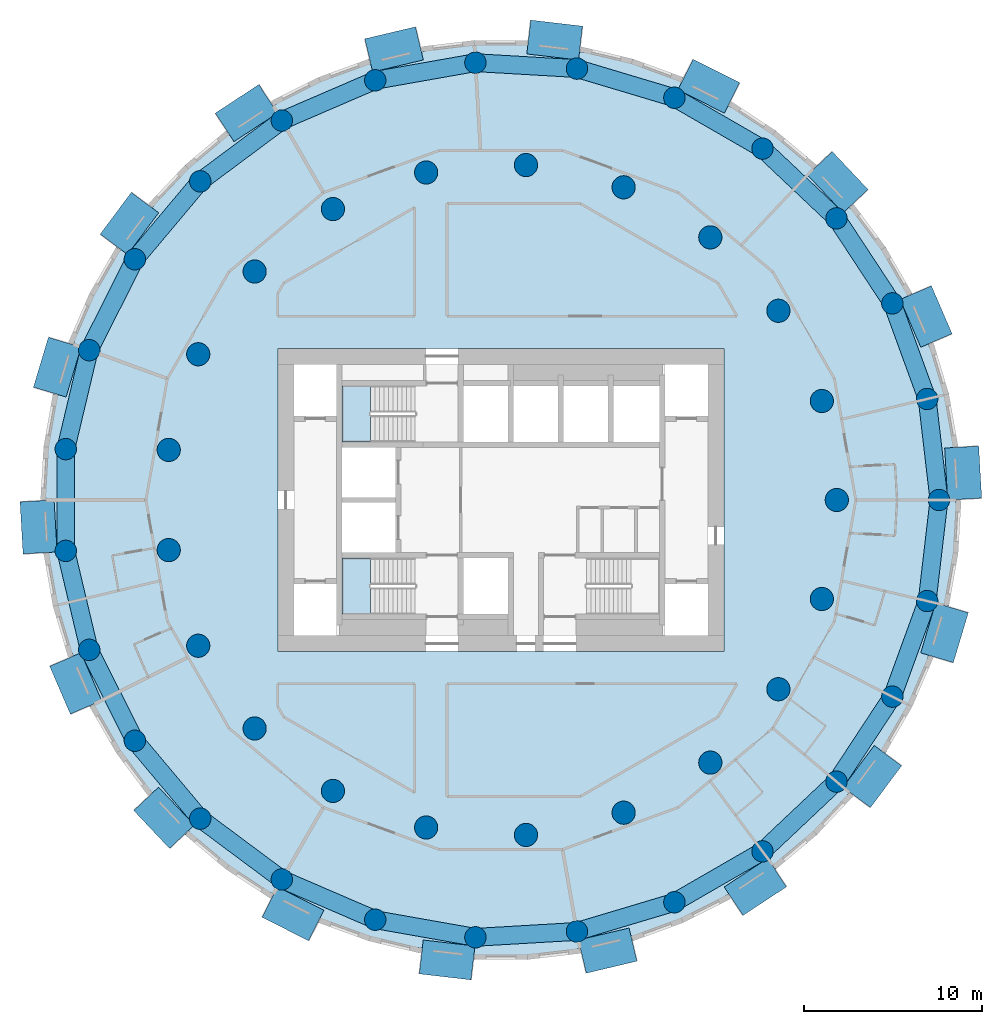
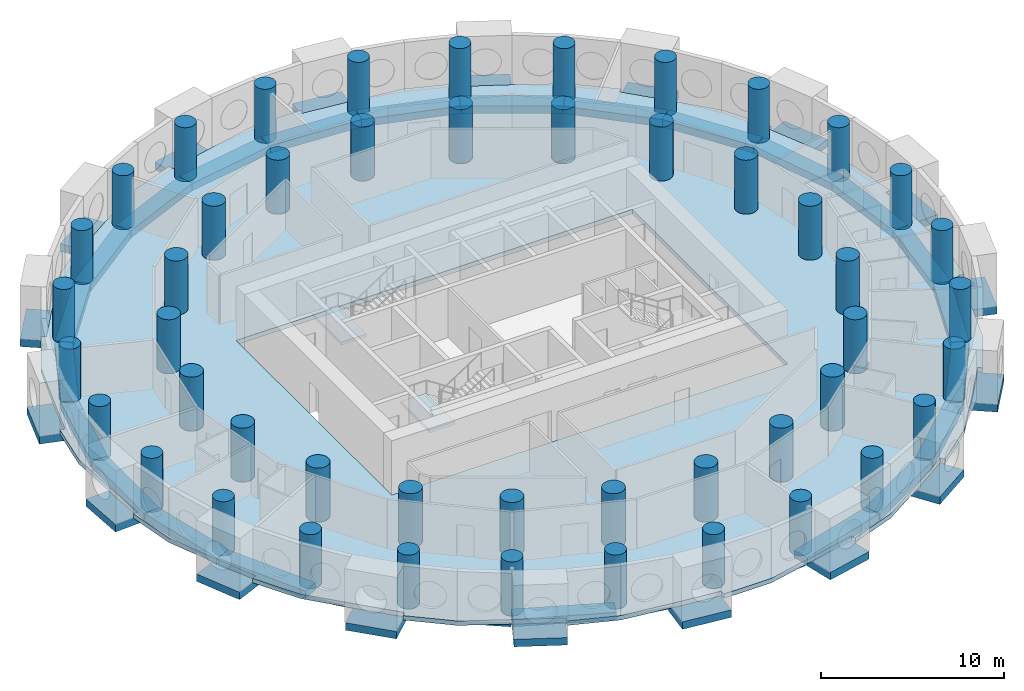
# One storey, part 1 of 10: 48 columns, 45 beams, 3 slabs, 2 elements without a shape of their own.
"""IFC4 building model written with IfcOpenShell, lengths in metres."""

from ifc_helpers import new_model, si_unit, direction, frame, origin, origin_2d, place, context, subcontext, project, spatial, polyline, rectangle, circle, outline, extrude, material, layer, layer_set, material_profile, profile_set, type_object, element, aggregate, save


model = new_model("IFC4")

# Units and contexts
model_context = context("Model", 3, precision=1e-05, world=origin(), true_north=direction((0.0, 1.0)))
body_context = subcontext(model_context, "Body", "Model", "MODEL_VIEW")
ifc_project = project(units=[si_unit("LENGTHUNIT", "METRE"), si_unit("AREAUNIT", "SQUARE_METRE"), si_unit("VOLUMEUNIT", "CUBIC_METRE"), si_unit("PLANEANGLEUNIT", "RADIAN"), si_unit("MASSUNIT", "GRAM", prefix="KILO")], contexts=[model_context])

# Site, building, storey
site_placement = place(None, origin())
site = spatial("IfcSite", under=ifc_project, at=site_placement, CompositionType="ELEMENT")
building_placement = place(site_placement, origin())
building = spatial("IfcBuilding", under=site, at=building_placement, Name="Tracery Tower", CompositionType="ELEMENT")
storey_placement = place(building_placement, frame((0.0, 0.0, 194.39990234375)))
storey = spatial("IfcBuildingStorey", under=building, at=storey_placement, Name="L50", CompositionType="ELEMENT", Elevation=194.39990234375)

# Columns
ifc_material_1 = material(Name="Concrete C50/60", Category="concrete")
ifc_material_profile_1 = material_profile(ifc_material_1, circle(Radius=0.60009765625, at=origin_2d()), Name="RC D1200")
ifc_profile_set_1 = profile_set([ifc_material_profile_1], Name="Concrete C50/60")
column_type_1 = type_object("IfcColumnType", Name="Ring 1 column 1200", PredefinedType="COLUMN", material=ifc_profile_set_1)
for number, where, z_axis, x_axis, name in (
    (1, (24.547607421875, 0.0, 0.0), (0.0, 0.0, 1.0), (1.0, 0.0, 0.0), "Ring 1 column 00 at L50"),
    (2, (23.885986328125, 5.6611328125, 0.0), (0.0, 0.0, 1.0), (1.0, 0.0, 0.0), "Ring 1 column 01 at L50"),
    (3, (21.9365234375, 11.01708984375, 0.0), (0.0, 0.0, 1.0), (1.0, 0.0, 0.0), "Ring 1 column 02 at L50"),
    (4, (18.8046875, 15.779052734375, 0.0), (0.0, 0.0, 1.0), (1.0, 0.0, 0.0), "Ring 1 column 03 at L50"),
    (5, (14.658935546875, 19.690185546875, 0.0), (0.0, 0.0, 1.0), (1.0, 0.0, 0.0), "Ring 1 column 04 at L50"),
    (6, (9.722900390625, 22.5400390625, 0.0), (0.0, 0.0, 1.0), (1.0, 0.0, 0.0), "Ring 1 column 05 at L50"),
    (7, (4.2626953125, 24.1748046875, 0.0), (0.0, 0.0, 1.0), (1.0, 0.0, 0.0), "Ring 1 column 06 at L50"),
    (8, (-1.42724609375, 24.506103515625, 0.0), (0.0, 0.0, 1.0), (1.0, 0.0, 0.0), "Ring 1 column 07 at L50"),
    (9, (-7.040283203125, 23.516357421875, 0.0), (0.0, 0.0, 1.0), (1.0, 0.0, 0.0), "Ring 1 column 08 at L50"),
    (10, (-12.273681640625, 21.2587890625, 0.0), (0.0, 0.0, 1.0), (1.0, 0.0, 0.0), "Ring 1 column 09 at L50"),
    (11, (-16.845703125, 17.855224609375, 0.0), (0.0, 0.0, 1.0), (1.0, 0.0, 0.0), "Ring 1 column 10 at L50"),
    (12, (-20.50927734375, 13.4892578125, 0.0), (0.0, 0.0, 1.0), (1.0, 0.0, 0.0), "Ring 1 column 11 at L50"),
    (13, (-23.0673828125, 8.395751953125, 0.0), (0.0, 0.0, 1.0), (1.0, 0.0, 0.0), "Ring 1 column 12 at L50"),
    (14, (-24.381591796875, 2.849853515625, 0.0), (0.0, 0.0, 1.0), (1.0, 0.0, 0.0), "Ring 1 column 13 at L50"),
    (15, (-24.381591796875, -2.849853515625, 0.0), (0.0, 0.0, 1.0), (1.0, 0.0, 0.0), "Ring 1 column 14 at L50"),
    (16, (-23.0673828125, -8.395751953125, 0.0), (0.0, 0.0, 1.0), (1.0, 0.0, 0.0), "Ring 1 column 15 at L50"),
    (17, (-20.50927734375, -13.4892578125, 0.0), (0.0, 0.0, 1.0), (1.0, 0.0, 0.0), "Ring 1 column 16 at L50"),
    (18, (-16.845703125, -17.85546875, 0.0), (0.0, 0.0, 1.0), (1.0, 0.0, 0.0), "Ring 1 column 17 at L50"),
    (19, (-12.27392578125, -21.2587890625, 0.0), (0.0, 0.0, 1.0), (1.0, 0.0, 0.0), "Ring 1 column 18 at L50"),
    (20, (-7.040283203125, -23.516357421875, 0.0), (0.0, 0.0, 1.0), (1.0, 0.0, 0.0), "Ring 1 column 19 at L50"),
    (21, (-1.42724609375, -24.506103515625, 0.0), (0.0, 0.0, 1.0), (1.0, 0.0, 0.0), "Ring 1 column 20 at L50"),
    (22, (4.2626953125, -24.1748046875, 0.0), (0.0, 0.0, 1.0), (1.0, 0.0, 0.0), "Ring 1 column 21 at L50"),
    (23, (9.722900390625, -22.5400390625, 0.0), (0.0, 0.0, 1.0), (1.0, 0.0, 0.0), "Ring 1 column 22 at L50"),
    (24, (14.658935546875, -19.690185546875, 0.0), (0.0, 0.0, 1.0), (1.0, 0.0, 0.0), "Ring 1 column 23 at L50"),
    (25, (18.8046875, -15.779052734375, 0.0), (0.0, 0.0, 1.0), (1.0, 0.0, 0.0), "Ring 1 column 24 at L50"),
    (26, (21.9365234375, -11.01708984375, 0.0), (0.0, 0.0, 1.0), (1.0, 0.0, 0.0), "Ring 1 column 25 at L50"),
    (27, (23.885986328125, -5.6611328125, 0.0), (0.0, 0.0, 1.0), (1.0, 0.0, 0.0), "Ring 1 column 26 at L50"),
):
    element("IfcColumn", number, at=place(storey_placement, frame(where, z_axis=z_axis, x_axis=x_axis)), inside=storey, type_object=column_type_1, Name=name, PredefinedType="COLUMN", context=body_context, shape_type="SweptSolid", body=[
        extrude(circle(Radius=0.60009765625, at=origin_2d()), origin(), (0.0, 0.0, 1.0), 3.60009765625),
    ])
ifc_material_2 = material(Name="Concrete C50/60", Category="concrete")
ifc_material_profile_2 = material_profile(ifc_material_2, circle(Radius=0.64990234375, at=origin_2d()), Name="RC D1300")
ifc_profile_set_2 = profile_set([ifc_material_profile_2], Name="Concrete C50/60")
column_type_2 = type_object("IfcColumnType", Name="Ring 2 column 1300", PredefinedType="COLUMN", material=ifc_profile_set_2)
for number, where, z_axis, x_axis, name in (
    (28, (18.822265625, 0.0, 0.0), (0.0, 0.0, 1.0), (1.0, 0.0, 0.0), "Ring 2 column 00 at L50"),
    (29, (17.986083984375, 5.5478515625, 0.0), (0.0, 0.0, 1.0), (1.0, 0.0, 0.0), "Ring 2 column 01 at L50"),
    (30, (15.551513671875, 10.602783203125, 0.0), (0.0, 0.0, 1.0), (1.0, 0.0, 0.0), "Ring 2 column 02 at L50"),
    (31, (11.7353515625, 14.7158203125, 0.0), (0.0, 0.0, 1.0), (1.0, 0.0, 0.0), "Ring 2 column 03 at L50"),
    (32, (6.87646484375, 17.52099609375, 0.0), (0.0, 0.0, 1.0), (1.0, 0.0, 0.0), "Ring 2 column 04 at L50"),
    (33, (1.406494140625, 18.76953125, 0.0), (0.0, 0.0, 1.0), (1.0, 0.0, 0.0), "Ring 2 column 05 at L50"),
    (34, (-4.188232421875, 18.350341796875, 0.0), (0.0, 0.0, 1.0), (1.0, 0.0, 0.0), "Ring 2 column 06 at L50"),
    (35, (-9.4111328125, 16.300537109375, 0.0), (0.0, 0.0, 1.0), (1.0, 0.0, 0.0), "Ring 2 column 07 at L50"),
    (36, (-13.797607421875, 12.802490234375, 0.0), (0.0, 0.0, 1.0), (1.0, 0.0, 0.0), "Ring 2 column 08 at L50"),
    (37, (-16.958251953125, 8.16650390625, 0.0), (0.0, 0.0, 1.0), (1.0, 0.0, 0.0), "Ring 2 column 09 at L50"),
    (38, (-18.612060546875, 2.805419921875, 0.0), (0.0, 0.0, 1.0), (1.0, 0.0, 0.0), "Ring 2 column 10 at L50"),
    (39, (-18.612060546875, -2.805419921875, 0.0), (0.0, 0.0, 1.0), (1.0, 0.0, 0.0), "Ring 2 column 11 at L50"),
    (40, (-16.958251953125, -8.166748046875, 0.0), (0.0, 0.0, 1.0), (1.0, 0.0, 0.0), "Ring 2 column 12 at L50"),
    (41, (-13.797607421875, -12.80224609375, 0.0), (0.0, 0.0, 1.0), (1.0, 0.0, 0.0), "Ring 2 column 13 at L50"),
    (42, (-9.4111328125, -16.300537109375, 0.0), (0.0, 0.0, 1.0), (1.0, 0.0, 0.0), "Ring 2 column 14 at L50"),
    (43, (-4.188232421875, -18.350341796875, 0.0), (0.0, 0.0, 1.0), (1.0, 0.0, 0.0), "Ring 2 column 15 at L50"),
    (44, (1.406494140625, -18.76953125, 0.0), (0.0, 0.0, 1.0), (1.0, 0.0, 0.0), "Ring 2 column 16 at L50"),
    (45, (6.87646484375, -17.52099609375, 0.0), (0.0, 0.0, 1.0), (1.0, 0.0, 0.0), "Ring 2 column 17 at L50"),
    (46, (11.7353515625, -14.7158203125, 0.0), (0.0, 0.0, 1.0), (1.0, 0.0, 0.0), "Ring 2 column 18 at L50"),
    (47, (15.551513671875, -10.602783203125, 0.0), (0.0, 0.0, 1.0), (1.0, 0.0, 0.0), "Ring 2 column 19 at L50"),
    (48, (17.986083984375, -5.5478515625, 0.0), (0.0, 0.0, 1.0), (1.0, 0.0, 0.0), "Ring 2 column 20 at L50"),
):
    element("IfcColumn", number, at=place(storey_placement, frame(where, z_axis=z_axis, x_axis=x_axis)), inside=storey, type_object=column_type_2, Name=name, PredefinedType="COLUMN", context=body_context, shape_type="SweptSolid", body=[
        extrude(circle(Radius=0.64990234375, at=origin_2d()), origin(), (0.0, 0.0, 1.0), 3.60009765625),
    ])

# Beams
ifc_material_3 = material(Name="Concrete C50/60", Category="concrete")
ifc_material_profile_3 = material_profile(ifc_material_3, rectangle(XDim=1.909912109375, YDim=0.5, at=origin_2d()), Name="RC 1910x500")
ifc_profile_set_3 = profile_set([ifc_material_profile_3], Name="Concrete C50/60")
beam_type_1 = type_object("IfcBeamType", Name="Bay seat beam 1910 x 500", PredefinedType="BEAM", material=ifc_profile_set_3)
for number, where, z_axis, x_axis, name in (
    (49, (25.989990234375, 0.05126953125, -0.5498046875), (-0.058109347222, 0.998310224212, 0.0), (-0.998310224212, -0.058109347222, 0.0), "Bay seat beam 1 at L50"),
    (50, (24.405029296875, 8.937255859375, -0.5498046875), (-0.39606761336, 0.918221348939, 0.0), (-0.918221348939, -0.39606761336, 0.0), "Bay seat beam 4 at L50"),
    (51, (19.87646484375, 16.745361328125, -0.5498046875), (-0.686196220404, 0.727416488061, 0.0), (-0.727416488061, -0.686196220404, 0.0), "Bay seat beam 7 at L50"),
    (52, (12.95068359375, 22.53369140625, -0.5498046875), (-0.893623094924, 0.448818186148, 0.0), (-0.448818186148, -0.893623094924, 0.0), "Bay seat beam 10 at L50"),
):
    element("IfcBeam", number, at=place(storey_placement, frame(where, z_axis=z_axis, x_axis=x_axis)), inside=storey, type_object=beam_type_1, Name=name, PredefinedType="BEAM", context=body_context, shape_type="SweptSolid", body=[
        extrude(rectangle(XDim=1.909912109375, YDim=0.5, at=origin_2d()), origin(), (0.0, 0.0, 1.0), 2.919921875),
    ])
beam_1_placement = place(storey_placement, frame((4.462646484375, 25.60400390625, -0.5498046875), z_axis=(-0.993234239252, 0.11612814464, 0.0), x_axis=(-0.11612814464, -0.993234239252, 0.0)))
element("IfcBeam", 53, at=beam_1_placement, inside=storey, type_object=beam_type_1, Name="Bay seat beam 13 at L50", PredefinedType="BEAM", context=body_context, shape_type="SweptSolid", body=[
    extrude(rectangle(XDim=1.909912109375, YDim=0.5, at=origin_2d()), origin(), (0.0, 0.0, 1.0), 2.920166015625),
])
for number, where, z_axis, x_axis, name in (
    (54, (-4.563720703125, 25.586181640625, -0.5498046875), (-0.973049685991, -0.230595551982, 0.0), (0.230595551982, -0.973049685991, 0.0), "Bay seat beam 16 at L50"),
    (55, (-13.039306640625, 22.482421875, -0.5498046875), (-0.83550698432, -0.549479825974, 0.0), (0.549479825974, -0.83550698432, 0.0), "Bay seat beam 19 at L50"),
    (56, (-19.9423828125, 16.666748046875, -0.5498046875), (-0.597227237606, -0.802072083208, 0.0), (0.802072083208, -0.597227237606, 0.0), "Bay seat beam 22 at L50"),
):
    element("IfcBeam", number, at=place(storey_placement, frame(where, z_axis=z_axis, x_axis=x_axis)), inside=storey, type_object=beam_type_1, Name=name, PredefinedType="BEAM", context=body_context, shape_type="SweptSolid", body=[
        extrude(rectangle(XDim=1.909912109375, YDim=0.5, at=origin_2d()), origin(), (0.0, 0.0, 1.0), 2.919921875),
    ])
beam_2_placement = place(storey_placement, frame((-24.440185546875, 8.8408203125, -0.5498046875), z_axis=(-0.286803183854, -0.957989526942, 0.0), x_axis=(0.957989526942, -0.286803183854, 0.0)))
element("IfcBeam", 57, at=beam_2_placement, inside=storey, type_object=beam_type_1, Name="Bay seat beam 25 at L50", PredefinedType="BEAM", context=body_context, shape_type="SweptSolid", body=[
    extrude(rectangle(XDim=1.909912109375, YDim=0.5, at=origin_2d()), origin(), (0.0, 0.0, 1.0), 2.919677734375),
])
for number, where, z_axis, x_axis, name in (
    (58, (-25.989990234375, -0.05126953125, -0.5498046875), (0.058109347222, -0.998310224212, 0.0), (0.998310224212, 0.058109347222, 0.0), "Bay seat beam 28 at L50"),
    (59, (-24.405029296875, -8.937255859375, -0.5498046875), (0.39606761336, -0.918221348939, 0.0), (0.918221348939, 0.39606761336, 0.0), "Bay seat beam 31 at L50"),
    (60, (-19.87646484375, -16.745361328125, -0.5498046875), (0.686196220404, -0.727416488061, 0.0), (0.727416488061, 0.686196220404, 0.0), "Bay seat beam 34 at L50"),
    (61, (-12.95068359375, -22.53369140625, -0.5498046875), (0.893623094924, -0.448818186148, 0.0), (0.448818186148, 0.893623094924, 0.0), "Bay seat beam 37 at L50"),
):
    element("IfcBeam", number, at=place(storey_placement, frame(where, z_axis=z_axis, x_axis=x_axis)), inside=storey, type_object=beam_type_1, Name=name, PredefinedType="BEAM", context=body_context, shape_type="SweptSolid", body=[
        extrude(rectangle(XDim=1.909912109375, YDim=0.5, at=origin_2d()), origin(), (0.0, 0.0, 1.0), 2.919921875),
    ])
beam_3_placement = place(storey_placement, frame((-4.462646484375, -25.60400390625, -0.5498046875), z_axis=(0.993234239252, -0.11612814464, 0.0), x_axis=(0.11612814464, 0.993234239252, 0.0)))
element("IfcBeam", 62, at=beam_3_placement, inside=storey, type_object=beam_type_1, Name="Bay seat beam 40 at L50", PredefinedType="BEAM", context=body_context, shape_type="SweptSolid", body=[
    extrude(rectangle(XDim=1.909912109375, YDim=0.5, at=origin_2d()), origin(), (0.0, 0.0, 1.0), 2.920166015625),
])
for number, where, z_axis, x_axis, name in (
    (63, (4.563720703125, -25.586181640625, -0.5498046875), (0.973049685991, 0.230595551982, 0.0), (-0.230595551982, 0.973049685991, 0.0), "Bay seat beam 43 at L50"),
    (64, (13.039306640625, -22.482421875, -0.5498046875), (0.83550698432, 0.549479825974, 0.0), (-0.549479825974, 0.83550698432, 0.0), "Bay seat beam 46 at L50"),
    (65, (19.9423828125, -16.666748046875, -0.5498046875), (0.597227237606, 0.802072083208, 0.0), (-0.802072083208, 0.597227237606, 0.0), "Bay seat beam 49 at L50"),
):
    element("IfcBeam", number, at=place(storey_placement, frame(where, z_axis=z_axis, x_axis=x_axis)), inside=storey, type_object=beam_type_1, Name=name, PredefinedType="BEAM", context=body_context, shape_type="SweptSolid", body=[
        extrude(rectangle(XDim=1.909912109375, YDim=0.5, at=origin_2d()), origin(), (0.0, 0.0, 1.0), 2.919921875),
    ])
beam_4_placement = place(storey_placement, frame((24.440185546875, -8.8408203125, -0.5498046875), z_axis=(0.286803183854, 0.957989526942, 0.0), x_axis=(-0.957989526942, 0.286803183854, 0.0)))
element("IfcBeam", 66, at=beam_4_placement, inside=storey, type_object=beam_type_1, Name="Bay seat beam 52 at L50", PredefinedType="BEAM", context=body_context, shape_type="SweptSolid", body=[
    extrude(rectangle(XDim=1.909912109375, YDim=0.5, at=origin_2d()), origin(), (0.0, 0.0, 1.0), 2.919677734375),
])
ifc_material_4 = material(Name="Concrete C50/60", Category="concrete")
ifc_material_profile_4 = material_profile(ifc_material_4, rectangle(XDim=1.0, YDim=0.5, at=origin_2d()), Name="RC 1000x500")
ifc_profile_set_4 = profile_set([ifc_material_profile_4], Name="Concrete C50/60")
beam_type_2 = type_object("IfcBeamType", Name="Perimeter band beam 1000x500", PredefinedType="BEAM", material=ifc_profile_set_4)
for number, where, z_axis, x_axis, name in (
    (67, (24.547607421875, 0.0, -0.5498046875), (-0.116080723252, 0.993239782575, 0.0), (-0.993239782575, -0.116080723252, 0.0), "Perimeter beam 1.00 under L50"),
    (68, (23.885986328125, 5.6611328125, -0.5498046875), (-0.342028502279, 0.939689578334, 0.0), (-0.939689578334, -0.342028502279, 0.0), "Perimeter beam 1.01 under L50"),
):
    element("IfcBeam", number, at=place(storey_placement, frame(where, z_axis=z_axis, x_axis=x_axis)), inside=storey, type_object=beam_type_2, Name=name, PredefinedType="BEAM", context=body_context, shape_type="SweptSolid", body=[
        extrude(rectangle(XDim=1.0, YDim=0.5, at=origin_2d()), origin(), (0.0, 0.0, 1.0), 5.69970703125),
    ])
for number, where, z_axis, x_axis, name in (
    (69, (21.9365234375, 11.01708984375, -0.5498046875), (-0.549489832182, 0.835500403548, 0.0), (-0.835500403548, -0.549489832182, 0.0), "Perimeter beam 1.02 under L50"),
    (70, (18.8046875, 15.779052734375, -0.5498046875), (-0.727389618263, 0.686224703172, 0.0), (-0.686224703172, -0.727389618263, 0.0), "Perimeter beam 1.03 under L50"),
):
    element("IfcBeam", number, at=place(storey_placement, frame(where, z_axis=z_axis, x_axis=x_axis)), inside=storey, type_object=beam_type_2, Name=name, PredefinedType="BEAM", context=body_context, shape_type="SweptSolid", body=[
        extrude(rectangle(XDim=1.0, YDim=0.5, at=origin_2d()), origin(), (0.0, 0.0, 1.0), 5.699462890625),
    ])
for number, where, z_axis, x_axis, name in (
    (71, (14.658935546875, 19.690185546875, -0.5498046875), (-0.866022950691, 0.500004248858, 0.0), (-0.500004248858, -0.866022950691, 0.0), "Perimeter beam 1.04 under L50"),
    (72, (9.722900390625, 22.5400390625, -0.5498046875), (-0.957985292634, 0.28681732705, 0.0), (-0.28681732705, -0.957985292634, 0.0), "Perimeter beam 1.05 under L50"),
):
    element("IfcBeam", number, at=place(storey_placement, frame(where, z_axis=z_axis, x_axis=x_axis)), inside=storey, type_object=beam_type_2, Name=name, PredefinedType="BEAM", context=body_context, shape_type="SweptSolid", body=[
        extrude(rectangle(XDim=1.0, YDim=0.5, at=origin_2d()), origin(), (0.0, 0.0, 1.0), 5.69970703125),
    ])
beam_5_placement = place(storey_placement, frame((4.2626953125, 24.1748046875, -0.5498046875), z_axis=(-0.99830920221, 0.058126902403, 0.0), x_axis=(-0.058126902403, -0.99830920221, 0.0)))
element("IfcBeam", 73, at=beam_5_placement, inside=storey, type_object=beam_type_2, Name="Perimeter beam 1.06 under L50", PredefinedType="BEAM", context=body_context, shape_type="SweptSolid", body=[
    extrude(rectangle(XDim=1.0, YDim=0.5, at=origin_2d()), origin(), (0.0, 0.0, 1.0), 5.699462890625),
])
beam_6_placement = place(storey_placement, frame((-1.42724609375, 24.506103515625, -0.5498046875), z_axis=(-0.984807266719, -0.173650935552, 0.0), x_axis=(0.173650935552, -0.984807266719, 0.0)))
element("IfcBeam", 74, at=beam_6_placement, inside=storey, type_object=beam_type_2, Name="Perimeter beam 1.07 under L50", PredefinedType="BEAM", context=body_context, shape_type="SweptSolid", body=[
    extrude(rectangle(XDim=1.0, YDim=0.5, at=origin_2d()), origin(), (0.0, 0.0, 1.0), 5.69970703125),
])
beam_7_placement = place(storey_placement, frame((-7.040283203125, 23.516357421875, -0.5498046875), z_axis=(-0.918209685525, -0.396094652083, 0.0), x_axis=(0.396094652083, -0.918209685525, 0.0)))
element("IfcBeam", 75, at=beam_7_placement, inside=storey, type_object=beam_type_2, Name="Perimeter beam 1.08 under L50", PredefinedType="BEAM", context=body_context, shape_type="SweptSolid", body=[
    extrude(rectangle(XDim=1.0, YDim=0.5, at=origin_2d()), origin(), (0.0, 0.0, 1.0), 5.699462890625),
])
beam_8_placement = place(storey_placement, frame((-12.273681640625, 21.2587890625, -0.5498046875), z_axis=(-0.802138271299, -0.59713833717, 0.0), x_axis=(0.59713833717, -0.802138271299, 0.0)))
element("IfcBeam", 76, at=beam_8_placement, inside=storey, type_object=beam_type_2, Name="Perimeter beam 1.09 under L50", PredefinedType="BEAM", context=body_context, shape_type="SweptSolid", body=[
    extrude(rectangle(XDim=1.0, YDim=0.5, at=origin_2d()), origin(), (0.0, 0.0, 1.0), 5.69970703125),
])
beam_9_placement = place(storey_placement, frame((-16.845703125, 17.855224609375, -0.5498046875), z_axis=(-0.642797194343, -0.766036400535, 0.0), x_axis=(0.766036400535, -0.642797194343, 0.0)))
element("IfcBeam", 77, at=beam_9_placement, inside=storey, type_object=beam_type_2, Name="Perimeter beam 1.10 under L50", PredefinedType="BEAM", context=body_context, shape_type="SweptSolid", body=[
    extrude(rectangle(XDim=1.0, YDim=0.5, at=origin_2d()), origin(), (0.0, 0.0, 1.0), 5.699462890625),
])
beam_10_placement = place(storey_placement, frame((-20.50927734375, 13.4892578125, -0.5498046875), z_axis=(-0.448806280933, -0.893629074166, 0.0), x_axis=(0.893629074166, -0.448806280933, 0.0)))
element("IfcBeam", 78, at=beam_10_placement, inside=storey, type_object=beam_type_2, Name="Perimeter beam 1.11 under L50", PredefinedType="BEAM", context=body_context, shape_type="SweptSolid", body=[
    extrude(rectangle(XDim=1.0, YDim=0.5, at=origin_2d()), origin(), (0.0, 0.0, 1.0), 5.69970703125),
])
beam_11_placement = place(storey_placement, frame((-23.0673828125, 8.395751953125, -0.5498046875), z_axis=(-0.230583793756, -0.973052472407, 0.0), x_axis=(0.973052472407, -0.230583793756, 0.0)))
element("IfcBeam", 79, at=beam_11_placement, inside=storey, type_object=beam_type_2, Name="Perimeter beam 1.12 under L50", PredefinedType="BEAM", context=body_context, shape_type="SweptSolid", body=[
    extrude(rectangle(XDim=1.0, YDim=0.5, at=origin_2d()), origin(), (0.0, 0.0, 1.0), 5.699462890625),
])
beam_12_placement = place(storey_placement, frame((-24.381591796875, 2.849853515625, -0.5498046875), z_axis=(0.0, -1.0, 0.0), x_axis=(1.0, 0.0, 0.0)))
element("IfcBeam", 80, at=beam_12_placement, inside=storey, type_object=beam_type_2, Name="Perimeter beam 1.13 under L50", PredefinedType="BEAM", context=body_context, shape_type="SweptSolid", body=[
    extrude(rectangle(XDim=1.0, YDim=0.5, at=origin_2d()), origin(), (0.0, 0.0, 1.0), 5.69970703125),
])
beam_13_placement = place(storey_placement, frame((-24.381591796875, -2.849853515625, -0.5498046875), z_axis=(0.230583793756, -0.973052472407, 0.0), x_axis=(0.973052472407, 0.230583793756, 0.0)))
element("IfcBeam", 81, at=beam_13_placement, inside=storey, type_object=beam_type_2, Name="Perimeter beam 1.14 under L50", PredefinedType="BEAM", context=body_context, shape_type="SweptSolid", body=[
    extrude(rectangle(XDim=1.0, YDim=0.5, at=origin_2d()), origin(), (0.0, 0.0, 1.0), 5.699462890625),
])
for number, where, z_axis, x_axis, name in (
    (82, (-23.0673828125, -8.395751953125, -0.5498046875), (0.448806280933, -0.893629074166, 0.0), (0.893629074166, 0.448806280933, 0.0), "Perimeter beam 1.15 under L50"),
    (83, (-20.50927734375, -13.4892578125, -0.5498046875), (0.64277610208, -0.766054099, 0.0), (0.766054099, 0.64277610208, 0.0), "Perimeter beam 1.16 under L50"),
):
    element("IfcBeam", number, at=place(storey_placement, frame(where, z_axis=z_axis, x_axis=x_axis)), inside=storey, type_object=beam_type_2, Name=name, PredefinedType="BEAM", context=body_context, shape_type="SweptSolid", body=[
        extrude(rectangle(XDim=1.0, YDim=0.5, at=origin_2d()), origin(), (0.0, 0.0, 1.0), 5.69970703125),
    ])
beam_14_placement = place(storey_placement, frame((-16.845703125, -17.85546875, -0.5498046875), z_axis=(0.802143514942, -0.597131293298, 0.0), x_axis=(0.597131293298, 0.802143514942, 0.0)))
element("IfcBeam", 84, at=beam_14_placement, inside=storey, type_object=beam_type_2, Name="Perimeter beam 1.17 under L50", PredefinedType="BEAM", context=body_context, shape_type="SweptSolid", body=[
    extrude(rectangle(XDim=1.0, YDim=0.5, at=origin_2d()), origin(), (0.0, 0.0, 1.0), 5.699462890625),
])
for number, where, z_axis, x_axis, name in (
    (85, (-12.27392578125, -21.2587890625, -0.5498046875), (0.918216405543, -0.39607907366, 0.0), (0.39607907366, 0.918216405543, 0.0), "Perimeter beam 1.18 under L50"),
    (86, (-7.040283203125, -23.516357421875, -0.5498046875), (0.984807266719, -0.173650935552, 0.0), (0.173650935552, 0.984807266719, 0.0), "Perimeter beam 1.19 under L50"),
):
    element("IfcBeam", number, at=place(storey_placement, frame(where, z_axis=z_axis, x_axis=x_axis)), inside=storey, type_object=beam_type_2, Name=name, PredefinedType="BEAM", context=body_context, shape_type="SweptSolid", body=[
        extrude(rectangle(XDim=1.0, YDim=0.5, at=origin_2d()), origin(), (0.0, 0.0, 1.0), 5.69970703125),
    ])
beam_15_placement = place(storey_placement, frame((-1.42724609375, -24.506103515625, -0.5498046875), z_axis=(0.99830920221, 0.058126902403, 0.0), x_axis=(-0.058126902403, 0.99830920221, 0.0)))
element("IfcBeam", 87, at=beam_15_placement, inside=storey, type_object=beam_type_2, Name="Perimeter beam 1.20 under L50", PredefinedType="BEAM", context=body_context, shape_type="SweptSolid", body=[
    extrude(rectangle(XDim=1.0, YDim=0.5, at=origin_2d()), origin(), (0.0, 0.0, 1.0), 5.699462890625),
])
for number, where, z_axis, x_axis, name in (
    (88, (4.2626953125, -24.1748046875, -0.5498046875), (0.957985292634, 0.28681732705, 0.0), (-0.28681732705, 0.957985292634, 0.0), "Perimeter beam 1.21 under L50"),
    (89, (9.722900390625, -22.5400390625, -0.5498046875), (0.866022950691, 0.500004248858, 0.0), (-0.500004248858, 0.866022950691, 0.0), "Perimeter beam 1.22 under L50"),
):
    element("IfcBeam", number, at=place(storey_placement, frame(where, z_axis=z_axis, x_axis=x_axis)), inside=storey, type_object=beam_type_2, Name=name, PredefinedType="BEAM", context=body_context, shape_type="SweptSolid", body=[
        extrude(rectangle(XDim=1.0, YDim=0.5, at=origin_2d()), origin(), (0.0, 0.0, 1.0), 5.69970703125),
    ])
for number, where, z_axis, x_axis, name in (
    (90, (14.658935546875, -19.690185546875, -0.5498046875), (0.727389618263, 0.686224703172, 0.0), (-0.686224703172, 0.727389618263, 0.0), "Perimeter beam 1.23 under L50"),
    (91, (18.8046875, -15.779052734375, -0.5498046875), (0.549489832182, 0.835500403548, 0.0), (-0.835500403548, 0.549489832182, 0.0), "Perimeter beam 1.24 under L50"),
):
    element("IfcBeam", number, at=place(storey_placement, frame(where, z_axis=z_axis, x_axis=x_axis)), inside=storey, type_object=beam_type_2, Name=name, PredefinedType="BEAM", context=body_context, shape_type="SweptSolid", body=[
        extrude(rectangle(XDim=1.0, YDim=0.5, at=origin_2d()), origin(), (0.0, 0.0, 1.0), 5.699462890625),
    ])
for number, where, z_axis, x_axis, name in (
    (92, (21.9365234375, -11.01708984375, -0.5498046875), (0.342028502279, 0.939689578334, 0.0), (-0.939689578334, 0.342028502279, 0.0), "Perimeter beam 1.25 under L50"),
    (93, (23.885986328125, -5.6611328125, -0.5498046875), (0.116080723252, 0.993239782575, 0.0), (-0.993239782575, 0.116080723252, 0.0), "Perimeter beam 1.26 under L50"),
):
    element("IfcBeam", number, at=place(storey_placement, frame(where, z_axis=z_axis, x_axis=x_axis)), inside=storey, type_object=beam_type_2, Name=name, PredefinedType="BEAM", context=body_context, shape_type="SweptSolid", body=[
        extrude(rectangle(XDim=1.0, YDim=0.5, at=origin_2d()), origin(), (0.0, 0.0, 1.0), 5.69970703125),
    ])

# Slab
ifc_material_5 = material(Name="Concrete C40/50", Category="concrete")
ifc_layer_1 = layer(ifc_material_5, 0.300048828125)
ifc_layer_set_1 = layer_set([ifc_layer_1], Name="Floor slab 300")
slab_type_1 = type_object("IfcSlabType", Name="Floor slab 300", PredefinedType="FLOOR", material=ifc_layer_set_1)
slab_1_placement = place(storey_placement, frame((0.0, 0.0, -0.2998046875)))
element("IfcSlab", 94, at=slab_1_placement, inside=storey, type_object=slab_type_1, Name="Floor slab L50", PredefinedType="FLOOR", context=body_context, shape_type="SweptSolid", body=[
    extrude(outline(polyline([(22.78515625, 11.443115234375), (22.7783203125, 11.459228515625), (23.0537109375, 11.577880859375), (21.5537109375, 14.176025390625), (19.533203125, 16.387939453125), (18.208740234375, 17.791748046875), (17.497314453125, 18.5458984375), (17.497314453125, 18.5458984375), (17.485107421875, 18.55859375), (17.70361328125, 18.7646484375), (15.4052734375, 20.69287109375), (12.74853515625, 22.081298828125), (10.098876953125, 23.411865234375), (10.098876953125, 23.411865234375), (10.083251953125, 23.419921875), (10.217529296875, 23.68701171875), (10.218017578125, 23.68798828125), (7.39892578125, 24.7138671875), (4.427490234375, 25.10986328125), (3.055908203125, 25.27001953125), (1.465087890625, 25.4560546875), (1.5, 25.75390625), (1.5, 25.754150390625), (-1.5, 25.754150390625), (-4.427490234375, 25.10986328125), (-7.312744140625, 24.426025390625), (-7.312744140625, 24.426025390625), (-7.32958984375, 24.422119140625), (-7.398681640625, 24.713134765625), (-7.39892578125, 24.7138671875), (-10.218017578125, 23.68798828125), (-12.74853515625, 22.081298828125), (-13.4443359375, 21.623779296875), (-15.240478515625, 20.4423828125), (-15.4052734375, 20.69287109375), (-15.4052734375, 20.69287109375), (-17.70361328125, 18.7646484375), (-19.531005859375, 16.390625), (-20.657958984375, 14.876953125), (-21.302490234375, 14.010986328125), (-21.302490234375, 14.010986328125), (-21.31298828125, 13.996826171875), (-21.5537109375, 14.176025390625), (-23.0537109375, 11.577880859375), (-23.95947265625, 8.720703125), (-24.694580078125, 6.265380859375), (-24.81494140625, 5.86328125), (-25.102294921875, 5.949462890625), (-25.623291015625, 2.994873046875), (-25.497314453125, 0.00048828125), (-25.32373046875, -2.9775390625), (-25.623291015625, -2.994873046875), (-25.102294921875, -5.949462890625), (-23.95947265625, -8.720703125), (-22.78515625, -11.443115234375), (-22.78515625, -11.443115234375), (-22.7783203125, -11.459228515625), (-23.0537109375, -11.577880859375), (-21.5537109375, -14.176025390625), (-19.533203125, -16.387939453125), (-18.208740234375, -17.791748046875), (-17.497314453125, -18.5458984375), (-17.497314453125, -18.5458984375), (-17.485107421875, -18.55859375), (-17.70361328125, -18.7646484375), (-15.4052734375, -20.69287109375), (-12.74853515625, -22.081298828125), (-10.098876953125, -23.411865234375), (-10.098876953125, -23.411865234375), (-10.083251953125, -23.419921875), (-10.217529296875, -23.68701171875), (-10.218017578125, -23.68798828125), (-7.39892578125, -24.7138671875), (-4.427490234375, -25.10986328125), (-3.055908203125, -25.27001953125), (-1.465087890625, -25.4560546875), (-1.5, -25.75390625), (-1.5, -25.754150390625), (1.5, -25.754150390625), (4.427490234375, -25.10986328125), (7.312744140625, -24.426025390625), (7.312744140625, -24.426025390625), (7.32958984375, -24.422119140625), (7.398681640625, -24.713134765625), (7.39892578125, -24.7138671875), (10.218017578125, -23.68798828125), (12.74853515625, -22.081298828125), (13.4443359375, -21.623779296875), (15.240478515625, -20.4423828125), (15.4052734375, -20.69287109375), (15.4052734375, -20.69287109375), (17.70361328125, -18.7646484375), (19.531005859375, -16.390625), (20.657958984375, -14.876953125), (21.302490234375, -14.010986328125), (21.302490234375, -14.010986328125), (21.31298828125, -13.996826171875), (21.5537109375, -14.176025390625), (23.0537109375, -11.577880859375), (23.95947265625, -8.720703125), (24.694580078125, -6.265380859375), (24.81494140625, -5.86328125), (25.102294921875, -5.949462890625), (25.623291015625, -2.994873046875), (25.497314453125, -0.00048828125), (25.32373046875, 2.9775390625), (25.623291015625, 2.994873046875), (25.102294921875, 5.949462890625), (23.95947265625, 8.720703125), (22.78515625, 11.443115234375), (22.78515625, 11.443115234375)]), holes=[polyline([(-12.5, -8.5), (12.5, -8.5), (12.5, 8.5), (-12.5, 8.5), (-12.5, -8.5)])]), origin(), (0.0, 0.0, 1.0), 0.2998046875),
])

# Stair, slab
ifc_material_6 = material(Name="Concrete C32/40", Category="concrete")
stair_type = type_object("IfcStairType", Name="Core stair 22 risers", PredefinedType="HALF_TURN_STAIR", material=ifc_material_6)
stair_1_placement = place(storey_placement, origin())
stair_1 = element("IfcStair", 95, at=stair_1_placement, inside=storey, type_object=stair_type, Name="L50 stair ST1", PredefinedType="HALF_TURN_STAIR")
ifc_material_7 = material(Name="Concrete C32/40", Category="concrete")
ifc_layer_2 = layer(ifc_material_7, 0.199951171875)
ifc_layer_set_2 = layer_set([ifc_layer_2], Name="Stair landing slab 200")
slab_type_2 = type_object("IfcSlabType", Name="Stair landing slab 200", PredefinedType="LANDING", material=ifc_layer_set_2)
slab_2_placement = place(storey_placement, frame((0.0, 0.0, 1.60009765625)))
slab_2 = element("IfcSlab", 96, at=slab_2_placement, type_object=slab_type_2, Name="ST1 landing 1", PredefinedType="LANDING", context=body_context, shape_type="SweptSolid", body=[
    extrude(outline(polyline([(-7.29931640625, -3.25), (-8.89990234375, -3.25), (-8.89990234375, -6.39990234375), (-7.29931640625, -6.39990234375), (-7.29931640625, -3.25)])), origin(), (0.0, 0.0, 1.0), 0.199951171875),
])
aggregate(stair_1, [slab_2])

stair_2_placement = place(storey_placement, origin())
stair_2 = element("IfcStair", 97, at=stair_2_placement, inside=storey, type_object=stair_type, Name="L50 stair ST3", PredefinedType="HALF_TURN_STAIR")
slab_3_placement = place(storey_placement, frame((0.0, 0.0, 1.60009765625)))
slab_3 = element("IfcSlab", 98, at=slab_3_placement, type_object=slab_type_2, Name="ST3 landing 1", PredefinedType="LANDING", context=body_context, shape_type="SweptSolid", body=[
    extrude(outline(polyline([(-7.29931640625, 6.39990234375), (-8.89990234375, 6.39990234375), (-8.89990234375, 3.25), (-7.29931640625, 3.25), (-7.29931640625, 6.39990234375)])), origin(), (0.0, 0.0, 1.0), 0.199951171875),
])
aggregate(stair_2, [slab_3])

save(model, "model.ifc")
